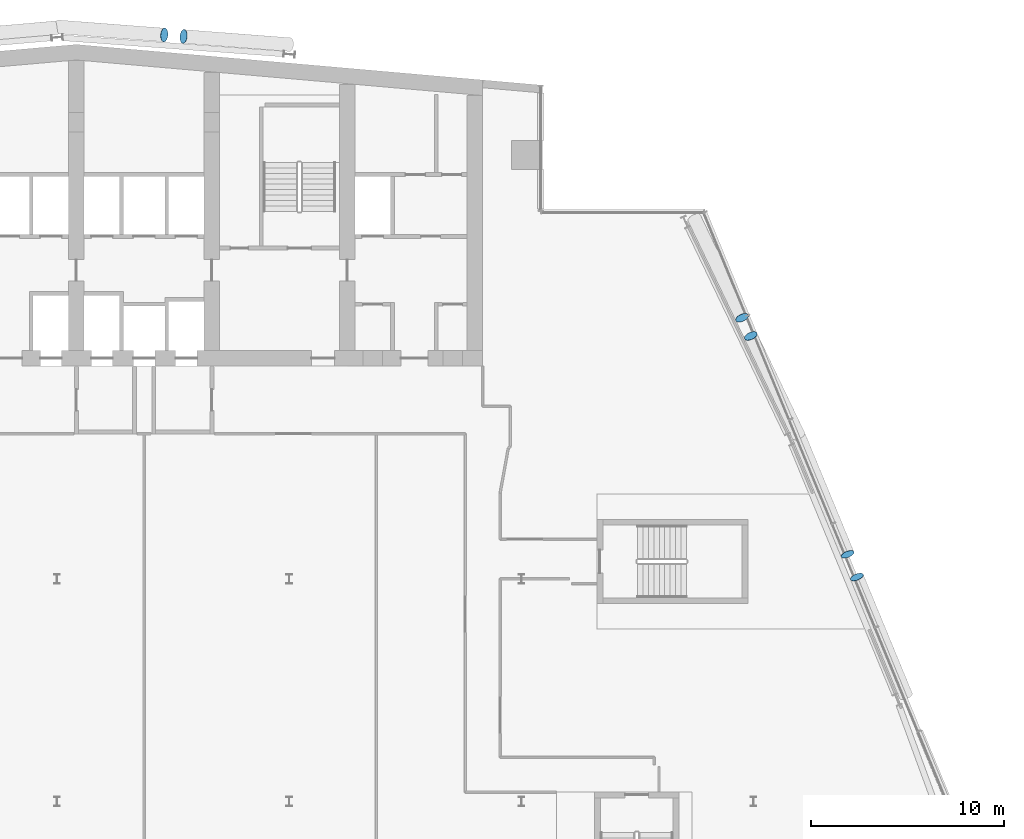
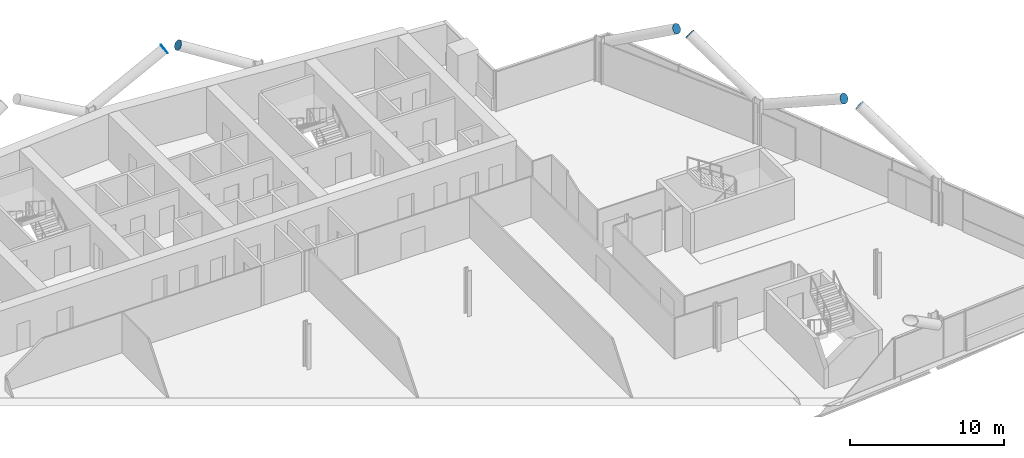
# One storey, part 23 of 26: 6 discrete accessories.
"""IFC4 building model written with IfcOpenShell, lengths in metres."""

import ifcopenshell
import ifcopenshell.guid

model = None  # the IFC model being written
_history = None  # IfcOwnerHistory: only IFC2X3 demands one
_inside = {}  # id of a spatial element -> (the spatial element, [elements in it])
_under = {}  # id of a project, library or spatial element -> (it, [spatial elements below it])
_declared = {}  # id of a project -> (the project, [libraries it declares])
_typed = {}  # id of a type object -> (the type object, [elements of that type])
_made_of = {}  # id of a material, layer set ... -> (it, [elements and type objects made of it])


def new_model(schema):
    """Start an empty IFC model of exactly this schema.

    Asked for "IFC4X3", IfcOpenShell would pick the latest addendum, in which some entities
    have other attributes; the version numbers below select the first issue.
    IFC2X3 requires an IfcOwnerHistory on every rooted entity: one is made here for all.
    """
    global model, _history
    if schema == "IFC4X3":
        model = ifcopenshell.file(schema_version=(4, 3, 0, 0))
    else:
        model = ifcopenshell.file(schema=schema)
    _inside.clear()
    _under.clear()
    _declared.clear()
    _typed.clear()
    _made_of.clear()
    _history = None
    if model.schema == "IFC2X3":
        org = make("IfcOrganization", Name="unknown")
        user = make(
            "IfcPersonAndOrganization",
            ThePerson=make("IfcPerson", FamilyName="unknown"),
            TheOrganization=org,
        )
        app = make(
            "IfcApplication",
            ApplicationDeveloper=org,
            Version="unknown",
            ApplicationFullName="unknown",
            ApplicationIdentifier="unknown",
        )
        _history = make(
            "IfcOwnerHistory",
            OwningUser=user,
            OwningApplication=app,
            ChangeAction="ADDED",
            CreationDate=0,
        )
    return model


def make(cls, **values):
    """One entity of the class cls with the attributes given. An attribute that is None is left unset."""
    return model.create_entity(
        cls, **{name: value for name, value in values.items() if value is not None}
    )


def rooted(cls, **values):
    """An entity with a GlobalId (a new one), such as an element, a storey or a relation."""
    return make(cls, GlobalId=ifcopenshell.guid.new(), OwnerHistory=_history, **values)


def si_unit(unit_type, name, prefix=None):
    """IfcSIUnit, for example si_unit("LENGTHUNIT", "METRE", prefix="MILLI")."""
    return make("IfcSIUnit", UnitType=unit_type, Prefix=prefix, Name=name)


def assignment(units):
    """IfcUnitAssignment: the units of a project."""
    return None if units is None else make("IfcUnitAssignment", Units=units)


def point(xyz):
    """IfcCartesianPoint."""
    return None if xyz is None else make("IfcCartesianPoint", Coordinates=xyz)


def direction(xyz):
    """IfcDirection."""
    return None if xyz is None else make("IfcDirection", DirectionRatios=xyz)


def frame(location, z_axis=None, x_axis=None):
    """IfcAxis2Placement3D, a coordinate frame: its origin and axes. An axis left out is left unset."""
    return make(
        "IfcAxis2Placement3D",
        Location=point(location),
        Axis=direction(z_axis),
        RefDirection=direction(x_axis),
    )


def frame_2d(location, x_axis=None):
    """IfcAxis2Placement2D, a coordinate frame in the plane: its origin and x axis."""
    return make(
        "IfcAxis2Placement2D", Location=point(location), RefDirection=direction(x_axis)
    )


def origin():
    """The frame at (0, 0, 0) with its axes left unset."""
    return frame((0.0, 0.0, 0.0))


def origin_2d():
    """The frame at (0, 0) in the plane with its x axis left unset."""
    return frame_2d((0.0, 0.0))


def place(relative_to, where):
    """IfcLocalPlacement: puts the frame where relative to a parent placement (None: the world)."""
    return make(
        "IfcLocalPlacement", PlacementRelTo=relative_to, RelativePlacement=where
    )


def context(
    kind, dimensions, precision=None, world=None, true_north=None, identifier=None
):
    """IfcGeometricRepresentationContext, for example the 3D "Model" context."""
    return make(
        "IfcGeometricRepresentationContext",
        ContextIdentifier=identifier,
        ContextType=kind,
        CoordinateSpaceDimension=dimensions,
        Precision=precision,
        WorldCoordinateSystem=world,
        TrueNorth=true_north,
    )


def subcontext(parent, identifier, kind, view, scale=None):
    """IfcGeometricRepresentationSubContext, for example "Body" below "Model"."""
    return make(
        "IfcGeometricRepresentationSubContext",
        ContextIdentifier=identifier,
        ContextType=kind,
        ParentContext=parent,
        TargetScale=scale,
        TargetView=view,
    )


def project(units=None, contexts=None):
    """IfcProject with its units and contexts."""
    return rooted(
        "IfcProject",
        Name="project",
        RepresentationContexts=contexts,
        UnitsInContext=assignment(units),
    )


def spatial(cls, under=None, at=None, **own):
    """A site, building, storey or space (cls), placed at a placement, below another one or the project."""
    s = rooted(cls, ObjectPlacement=at, **own)
    if under is not None:
        _under.setdefault(under.id(), (under, []))[1].append(s)
    return s


def profile(cls, at=None, kind="AREA", **sizes):
    """A parametric profile (cls). Its sizes go by their IFC names, for example OverallWidth=200.0."""
    return make(cls, ProfileType=kind, Position=at, **sizes)


def circle(**sizes):
    """IfcCircleProfileDef."""
    return profile("IfcCircleProfileDef", **sizes)


def extrude(swept, where, along, depth):
    """IfcExtrudedAreaSolid: the profile swept, set in the frame where, extruded along a direction by depth."""
    return make(
        "IfcExtrudedAreaSolid",
        SweptArea=swept,
        Position=where,
        ExtrudedDirection=direction(along),
        Depth=depth,
    )


def shape(context_of_items, identifier, shape_type, items):
    """IfcShapeRepresentation: the items that make up one representation, for example the "Body"."""
    return make(
        "IfcShapeRepresentation",
        ContextOfItems=context_of_items,
        RepresentationIdentifier=identifier,
        RepresentationType=shape_type,
        Items=items,
    )


def material(Name=None, Category=None):
    """IfcMaterial."""
    return make("IfcMaterial", Name=Name, Category=Category)


def material_profile(
    of_material, cross_section, Name=None, Category=None, Priority=None
):
    """IfcMaterialProfile: a cross section and its material."""
    return make(
        "IfcMaterialProfile",
        Name=Name,
        Material=of_material,
        Profile=cross_section,
        Priority=Priority,
        Category=Category,
    )


def profile_set(profiles, Name=None, composite=None):
    """IfcMaterialProfileSet."""
    return make(
        "IfcMaterialProfileSet",
        Name=Name,
        MaterialProfiles=profiles,
        CompositeProfile=composite,
    )


def made_of(thing, what):
    """Note that an element or type object is made of a material, layer set ...; save() writes the relation."""
    if what is not None:
        _made_of.setdefault(what.id(), (what, []))[1].append(thing)
    return thing


def type_object(cls, material=None, **own):
    """A type object (cls), such as IfcWallType, which elements share."""
    return made_of(rooted(cls, **own), material)


def element(
    cls,
    number,
    at=None,
    inside=None,
    cuts=None,
    type_object=None,
    material=None,
    context=None,
    identifier="Body",
    shape_type=None,
    held_by="IfcProductDefinitionShape",
    body=None,
    shapes=None,
    **own,
):
    """One element of the class cls, such as IfcWall. Its Tag is "e" and its number.

    at: its placement. inside: the storey or other place that contains it. cuts: it is an
    opening in that element (IfcRelVoidsElement). A single representation is given by context,
    identifier, shape_type and body (its items); several are given by shapes. held_by: the class
    of the entity that holds the representations. save() writes the other relations.
    """
    e = rooted(cls, Tag="e%d" % number, ObjectPlacement=at, **own)
    if body is not None:
        shapes = [shape(context, identifier, shape_type, body)]
    if shapes is not None:
        e.Representation = make(held_by, Representations=shapes)
    if inside is not None:
        _inside.setdefault(inside.id(), (inside, []))[1].append(e)
    if cuts is not None:
        rooted(
            "IfcRelVoidsElement", RelatingBuildingElement=cuts, RelatedOpeningElement=e
        )
    if type_object is not None:
        _typed.setdefault(type_object.id(), (type_object, []))[1].append(e)
    return made_of(e, material)


def aggregate(whole, parts):
    """IfcRelAggregates: a whole, such as a stair, and the parts it consists of."""
    return rooted("IfcRelAggregates", RelatingObject=whole, RelatedObjects=parts)


def save(model, path):
    """Write the relations noted so far, then the file.

    IfcRelAggregates (storeys below a building ...), IfcRelContainedInSpatialStructure (elements
    in a storey), IfcRelDefinesByType, IfcRelAssociatesMaterial and IfcRelDeclares: one each for
    every whole, place, type object, material and project.
    """
    for whole, parts in _under.values():
        aggregate(whole, parts)
    for where, things in _inside.values():
        rooted(
            "IfcRelContainedInSpatialStructure",
            RelatedElements=things,
            RelatingStructure=where,
        )
    for kind, things in _typed.values():
        rooted("IfcRelDefinesByType", RelatedObjects=things, RelatingType=kind)
    for what, things in _made_of.values():
        rooted("IfcRelAssociatesMaterial", RelatedObjects=things, RelatingMaterial=what)
    for by, libraries in _declared.values():
        rooted("IfcRelDeclares", RelatingContext=by, RelatedDefinitions=libraries)
    model.write(path)


model = new_model("IFC4")

# Units and contexts
model_context = context("Model", 3, precision=1e-05, world=origin(), true_north=direction((0.0, 1.0)))
body_context = subcontext(model_context, "Body", "Model", "MODEL_VIEW")
ifc_project = project(units=[si_unit("LENGTHUNIT", "METRE"), si_unit("AREAUNIT", "SQUARE_METRE"), si_unit("VOLUMEUNIT", "CUBIC_METRE"), si_unit("PLANEANGLEUNIT", "RADIAN"), si_unit("MASSUNIT", "GRAM", prefix="KILO")], contexts=[model_context])

# Site, building, storey
site_placement = place(None, origin())
site = spatial("IfcSite", under=ifc_project, at=site_placement, CompositionType="ELEMENT")
building_placement = place(site_placement, origin())
building = spatial("IfcBuilding", under=site, at=building_placement, Name="Wharfspan Tower", CompositionType="ELEMENT")
storey_placement = place(building_placement, frame((0.0, 0.0, 184.300049)))
storey = spatial("IfcBuildingStorey", under=building, at=storey_placement, Name="L45", CompositionType="ELEMENT", Elevation=184.300049)

# Discrete accessories
ifc_material = material(Name="Steel S460NH", Category="steel")
ifc_material_profile = material_profile(ifc_material, circle(Radius=0.355469, at=origin_2d()))
ifc_profile_set = profile_set([ifc_material_profile], Name="Steel S460NH")
discrete_accessory_type = type_object("IfcDiscreteAccessoryType", Name="End plate CHS 711x36", PredefinedType="BRACKET", material=ifc_profile_set)
for number, where, z_axis, x_axis, name in (
    (1, (77.343018, 23.091309, 6.18335), (-0.341972, 0.830504, 0.439679), (-0.924678, -0.380749, -1e-06), "End plate CHS 711x36"),
    (2, (76.854248, 24.275146, 6.18335), (0.341972, -0.830504, 0.439679), (0.924678, 0.380749, -1e-06), "End plate CHS 711x36"),
    (3, (71.858154, 35.550537, 6.194092), (-0.364878, 0.778407, 0.510829), (-0.905462, -0.424435, 0.0), "End plate CHS 711x36"),
    (4, (71.401123, 36.504395, 6.194092), (0.364878, -0.778407, 0.510829), (0.905462, 0.424435, 0.0), "End plate CHS 711x36"),
    (5, (41.533447, 51.114502, 6.197021), (0.855186, -0.073302, 0.513112), (0.085402, 0.996345, -1e-06), "End plate CHS 711x36"),
    (6, (42.543213, 51.037354, 6.197021), (-0.855186, 0.073302, 0.513112), (-0.085402, -0.996345, -1e-06), "End plate CHS 711x36"),
):
    element("IfcDiscreteAccessory", number, at=place(storey_placement, frame(where, z_axis=z_axis, x_axis=x_axis)), inside=storey, type_object=discrete_accessory_type, Name=name, PredefinedType="BRACKET", context=body_context, shape_type="SweptSolid", body=[
        extrude(circle(Radius=0.355469, at=origin_2d()), origin(), (0.0, 0.0, 1.0), 0.01001),
    ])

save(model, "model.ifc")
